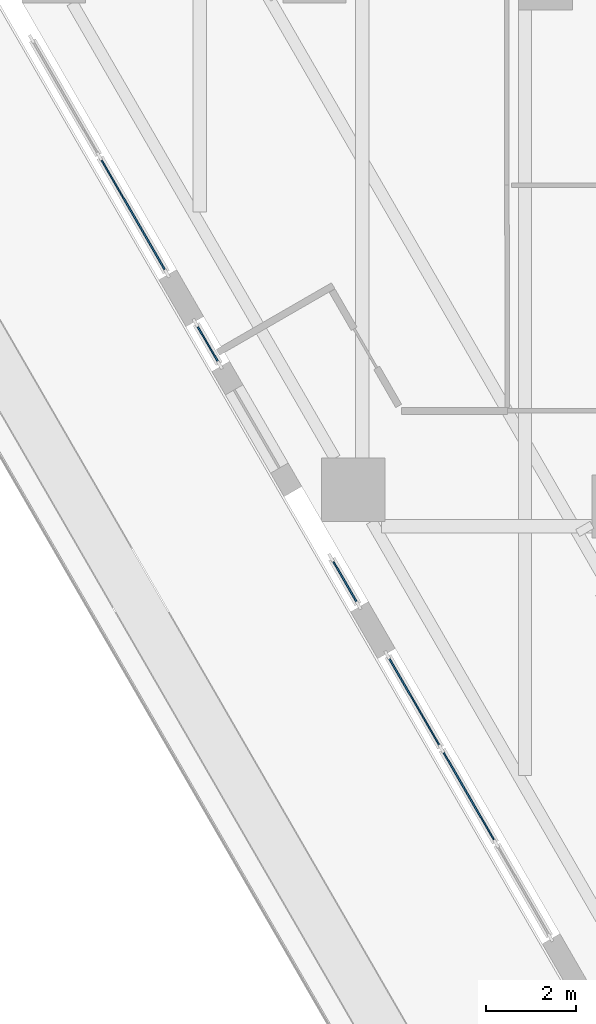
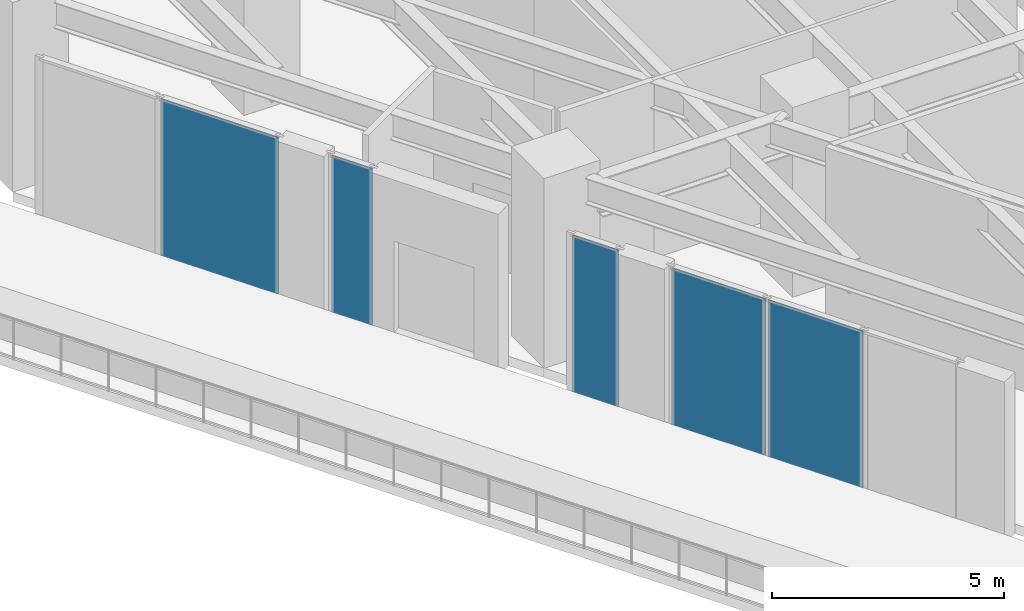
# One storey, part 17 of 31: 5 plates, 4 elements without a shape of their own.
"""IFC4 building model written with IfcOpenShell, lengths in metres."""

from ifc_helpers import new_model, si_unit, direction, frame, origin, origin_2d, place, context, subcontext, project, spatial, rectangle, extrude, material, layer, layer_set, type_object, element, aggregate, save


model = new_model("IFC4")

# Units and contexts
model_context = context("Model", 3, precision=1e-05, world=origin(), true_north=direction((0.0, 1.0)))
body_context = subcontext(model_context, "Body", "Model", "MODEL_VIEW")
ifc_project = project(units=[si_unit("LENGTHUNIT", "METRE"), si_unit("AREAUNIT", "SQUARE_METRE"), si_unit("VOLUMEUNIT", "CUBIC_METRE"), si_unit("PLANEANGLEUNIT", "RADIAN"), si_unit("MASSUNIT", "GRAM", prefix="KILO")], contexts=[model_context])

# Site, building, storey
site_placement = place(None, origin())
site = spatial("IfcSite", under=ifc_project, at=site_placement, CompositionType="ELEMENT")
building_placement = place(site_placement, origin())
building = spatial("IfcBuilding", under=site, at=building_placement, Name="Aloe Facet Convention Tower", CompositionType="ELEMENT")
storey_placement = place(building_placement, frame((0.0, 0.0, 25.0)))
storey = spatial("IfcBuildingStorey", under=building, at=storey_placement, Name="L04", CompositionType="ELEMENT", Elevation=25.0)

# Curtain wall, plate
ifc_material_1 = material(Name="Aluminium, anodised", Category="aluminium")
curtain_wall_type = type_object("IfcCurtainWallType", Name="EV-CW-HALL", PredefinedType="USERDEFINED", material=ifc_material_1)
curtain_wall_1_placement = place(storey_placement, origin())
curtain_wall_1 = element("IfcCurtainWall", 1, at=curtain_wall_1_placement, inside=storey, type_object=curtain_wall_type, Name="CW-L04-W02", ObjectType="UNITISED HALL GLAZING", PredefinedType="USERDEFINED")
ifc_material_2 = material(Name="Clear double glazing", Category="glass")
ifc_layer = layer(ifc_material_2, 0.035888671875)
ifc_layer_set = layer_set([ifc_layer], Name="EV-PANEL-HALL")
plate_type = type_object("IfcPlateType", Name="EV-PANEL-HALL", PredefinedType="CURTAIN_PANEL", material=ifc_layer_set)
plate_1_placement = place(storey_placement, frame((46.12646484375, 123.891357421875, -0.18505859375), z_axis=(0.0, 0.0, 1.0), x_axis=(0.500000000045, -0.866025403758, 0.0)))
plate_1 = element("IfcPlate", 2, at=plate_1_placement, type_object=plate_type, Name="CW-L04-W02 panel 2.1", PredefinedType="CURTAIN_PANEL", context=body_context, shape_type="SweptSolid", body=[
    extrude(rectangle(XDim=2.92919921875, YDim=0.035888671875, at=origin_2d()), origin(), (0.0, 0.0, 1.0), 4.132568359375),
])
aggregate(curtain_wall_1, [plate_1])

curtain_wall_2_placement = place(storey_placement, origin())
curtain_wall_2 = element("IfcCurtainWall", 3, at=curtain_wall_2_placement, inside=storey, type_object=curtain_wall_type, Name="CW-L04-W04A", ObjectType="UNITISED HALL GLAZING", PredefinedType="USERDEFINED")
plate_2_placement = place(storey_placement, frame((47.777099609375, 121.0322265625, -0.18505859375), z_axis=(0.0, 0.0, 1.0), x_axis=(0.500000000287, -0.866025403619, 0.0)))
plate_2 = element("IfcPlate", 4, at=plate_2_placement, type_object=plate_type, Name="CW-L04-W04A panel 1.1", PredefinedType="CURTAIN_PANEL", context=body_context, shape_type="SweptSolid", body=[
    extrude(rectangle(XDim=1.013427734375, YDim=0.035888671875, at=origin_2d()), origin(), (0.0, 0.0, 1.0), 4.132568359375),
])
aggregate(curtain_wall_2, [plate_2])

curtain_wall_3_placement = place(storey_placement, origin())
curtain_wall_3 = element("IfcCurtainWall", 5, at=curtain_wall_3_placement, inside=storey, type_object=curtain_wall_type, Name="CW-L04-W04B", ObjectType="UNITISED HALL GLAZING", PredefinedType="USERDEFINED")
plate_3_placement = place(storey_placement, frame((50.813232421875, 115.773681640625, -0.18505859375), z_axis=(0.0, 0.0, 1.0), x_axis=(0.500000000196, -0.866025403671, 0.0)))
plate_3 = element("IfcPlate", 6, at=plate_3_placement, type_object=plate_type, Name="CW-L04-W04B panel 1.1", PredefinedType="CURTAIN_PANEL", context=body_context, shape_type="SweptSolid", body=[
    extrude(rectangle(XDim=1.15576171875, YDim=0.035888671875, at=origin_2d()), origin(), (0.0, 0.0, 1.0), 4.132568359375),
])
aggregate(curtain_wall_3, [plate_3])

# Curtain wall, plates
curtain_wall_4_placement = place(storey_placement, origin())
curtain_wall_4 = element("IfcCurtainWall", 7, at=curtain_wall_4_placement, inside=storey, type_object=curtain_wall_type, Name="CW-L04-W06", ObjectType="UNITISED HALL GLAZING", PredefinedType="USERDEFINED")
plate_4_placement = place(storey_placement, frame((52.349853515625, 113.11181640625, -0.18505859375), z_axis=(0.0, 0.0, 1.0), x_axis=(0.500000000045, -0.866025403758, 0.0)))
plate_4 = element("IfcPlate", 8, at=plate_4_placement, type_object=plate_type, Name="CW-L04-W06 panel 1.1", PredefinedType="CURTAIN_PANEL", context=body_context, shape_type="SweptSolid", body=[
    extrude(rectangle(XDim=2.331298828125, YDim=0.035888671875, at=origin_2d()), origin(), (0.0, 0.0, 1.0), 4.132568359375),
])
plate_5_placement = place(storey_placement, frame((53.556396484375, 111.0224609375, -0.18505859375), z_axis=(0.0, 0.0, 1.0), x_axis=(0.500000000045, -0.866025403758, 0.0)))
plate_5 = element("IfcPlate", 9, at=plate_5_placement, type_object=plate_type, Name="CW-L04-W06 panel 2.1", PredefinedType="CURTAIN_PANEL", context=body_context, shape_type="SweptSolid", body=[
    extrude(rectangle(XDim=2.364013671875, YDim=0.035888671875, at=origin_2d()), origin(), (0.0, 0.0, 1.0), 4.132568359375),
])
aggregate(curtain_wall_4, [plate_4, plate_5])

save(model, "model.ifc")
